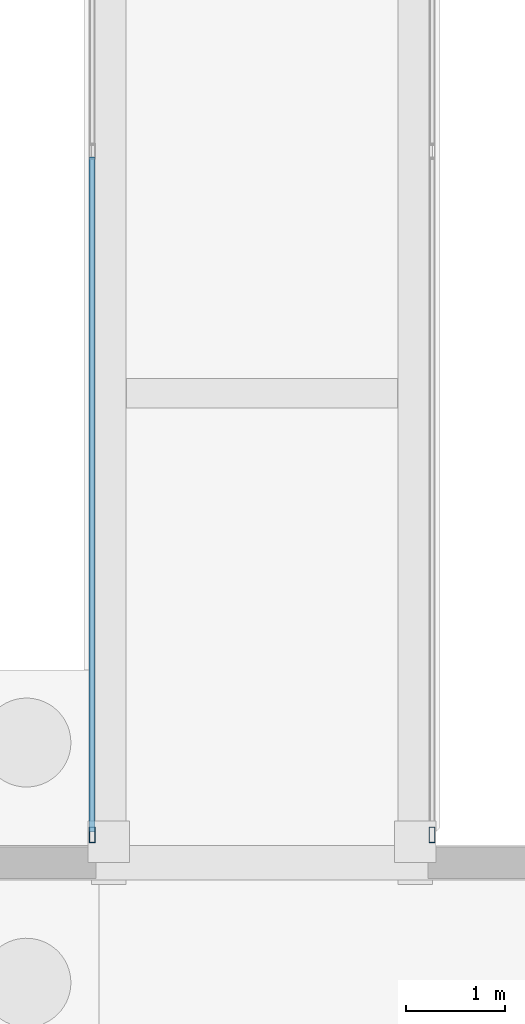
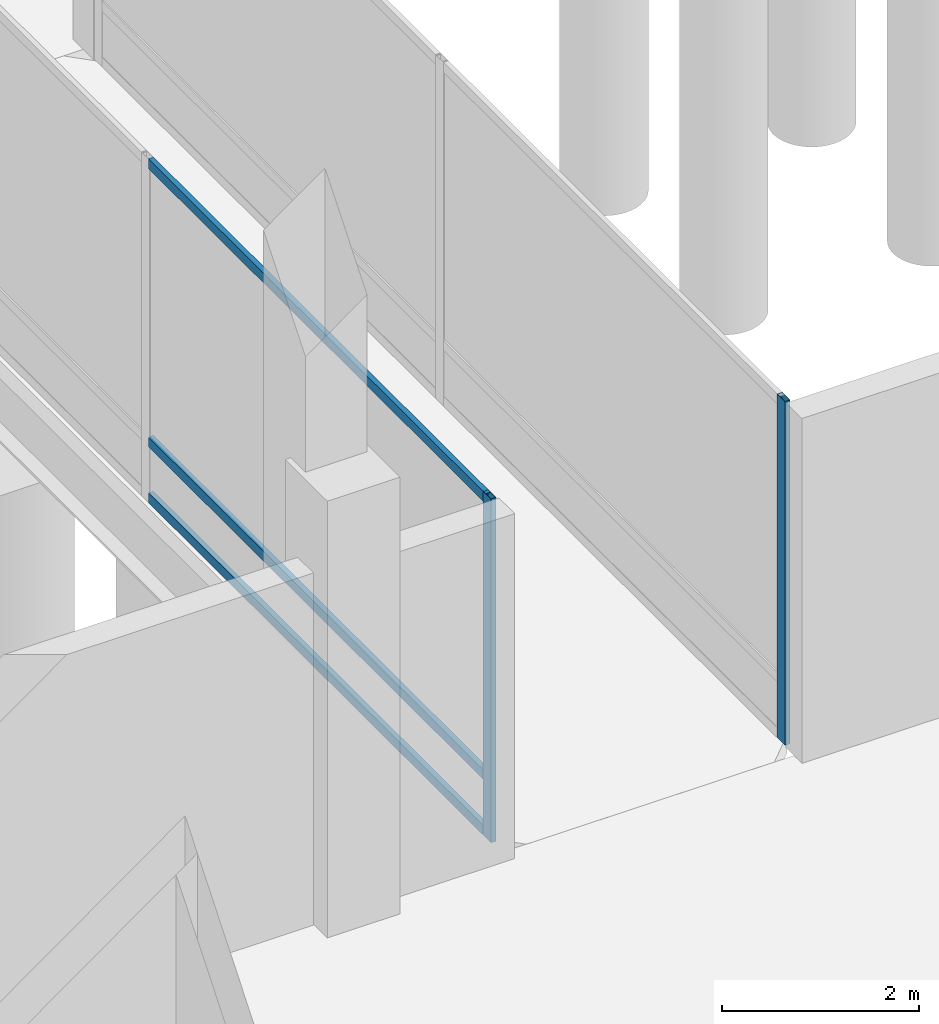
# One storey, part 34 of 192: 5 members, 2 elements without a shape of their own.
"""IFC4 building model written with IfcOpenShell, lengths in metres."""

from ifc_helpers import new_model, si_unit, direction, frame, origin, origin_2d, place, context, subcontext, project, spatial, hollow_rectangle, extrude, material, material_profile, profile_set, type_object, element, aggregate, save


model = new_model("IFC4")

# Units and contexts
model_context = context("Model", 3, precision=1e-05, world=origin(), true_north=direction((0.0, 1.0)))
body_context = subcontext(model_context, "Body", "Model", "MODEL_VIEW")
ifc_project = project(units=[si_unit("LENGTHUNIT", "METRE"), si_unit("AREAUNIT", "SQUARE_METRE"), si_unit("VOLUMEUNIT", "CUBIC_METRE"), si_unit("PLANEANGLEUNIT", "RADIAN"), si_unit("MASSUNIT", "GRAM", prefix="KILO")], contexts=[model_context])

# Site, building, storey
site_placement = place(None, origin())
site = spatial("IfcSite", under=ifc_project, at=site_placement, CompositionType="ELEMENT")
building_placement = place(site_placement, origin())
building = spatial("IfcBuilding", under=site, at=building_placement, Name="Cendralis Lancet Convention Centre", CompositionType="ELEMENT")
storey_placement = place(building_placement, origin())
storey = spatial("IfcBuildingStorey", under=building, at=storey_placement, Name="L00", CompositionType="ELEMENT", Elevation=0.0)

# Curtain wall, member
ifc_material = material(Name="Anodised bronze architectural aluminium", Category="aluminium")
curtain_wall_type = type_object("IfcCurtainWallType", Name="ARC-CW-BR01", PredefinedType="USERDEFINED", material=ifc_material)
curtain_wall_1_placement = place(storey_placement, origin())
curtain_wall_1 = element("IfcCurtainWall", 1, at=curtain_wall_1_placement, inside=storey, type_object=curtain_wall_type, Name="L00 Curtain Wall CW-BR1 #207", ObjectType="CURTAIN WALL", PredefinedType="USERDEFINED")
ifc_material_profile_1 = material_profile(ifc_material, hollow_rectangle(XDim=0.06005859375, YDim=0.159912109375, WallThickness=0.00390625, at=origin_2d()), Name="AL-MULL 60x160x4.0")
ifc_profile_set_1 = profile_set([ifc_material_profile_1], Name="Anodised bronze architectural aluminium")
member_type_1 = type_object("IfcMemberType", Name="ARC-CW-ML01", PredefinedType="MULLION", material=ifc_profile_set_1)
member_1_placement = place(storey_placement, frame((16.280029296875, 36.280029296875, 0.0), z_axis=(0.0, 0.0, 1.0), x_axis=(1.0, 0.0, 0.0)))
member_1 = element("IfcMember", 2, at=member_1_placement, type_object=member_type_1, Name="Mullion CW2-CW-BR1-L00-207-M0", PredefinedType="MULLION", context=body_context, shape_type="SweptSolid", body=[
    extrude(hollow_rectangle(XDim=0.06005859375, YDim=0.159912109375, WallThickness=0.00390625, at=origin_2d()), origin(), (0.0, 0.0, 1.0), 4.25),
])

curtain_wall_2_placement = place(storey_placement, origin())
curtain_wall_2 = element("IfcCurtainWall", 3, at=curtain_wall_2_placement, inside=storey, type_object=curtain_wall_type, Name="L00 Curtain Wall CW-BR1 #208", ObjectType="CURTAIN WALL", PredefinedType="USERDEFINED")
member_2_placement = place(storey_placement, frame((19.719970703125, 36.280029296875, 0.0), z_axis=(0.0, 0.0, 1.0), x_axis=(1.0, 0.0, 0.0)))
member_2 = element("IfcMember", 4, at=member_2_placement, type_object=member_type_1, Name="Mullion CW2-CW-BR1-L00-208-M0", PredefinedType="MULLION", context=body_context, shape_type="SweptSolid", body=[
    extrude(hollow_rectangle(XDim=0.06005859375, YDim=0.159912109375, WallThickness=0.00390625, at=origin_2d()), origin(), (0.0, 0.0, 1.0), 4.25),
])
aggregate(curtain_wall_2, [member_2])

# Member
ifc_material_profile_2 = material_profile(ifc_material, hollow_rectangle(XDim=0.06005859375, YDim=0.1201171875, WallThickness=0.00390625, at=origin_2d()), Name="AL-TRAN 60x120x4.0")
ifc_profile_set_2 = profile_set([ifc_material_profile_2], Name="Anodised bronze architectural aluminium")
member_type_2 = type_object("IfcMemberType", Name="ARC-CW-TR01", PredefinedType="USERDEFINED", material=ifc_profile_set_2)
member_3_placement = place(storey_placement, frame((16.280029296875, 36.31005859375, 0.06005859375), z_axis=(0.0, 1.0, 0.0), x_axis=(-1.0, 0.0, 0.0)))
member_3 = element("IfcMember", 5, at=member_3_placement, type_object=member_type_2, Name="Transom CW2-CW-BR1-L00-207-T0BOT", ObjectType="TRANSOM", PredefinedType="USERDEFINED", context=body_context, shape_type="SweptSolid", body=[
    extrude(hollow_rectangle(XDim=0.06005859375, YDim=0.1201171875, WallThickness=0.00390625, at=origin_2d()), origin(), (0.0, 0.0, 1.0), 6.829833984375),
])

member_4_placement = place(storey_placement, frame((16.280029296875, 36.31005859375, 0.75), z_axis=(0.0, 1.0, 0.0), x_axis=(-1.0, 0.0, 0.0)))
member_4 = element("IfcMember", 6, at=member_4_placement, type_object=member_type_2, Name="Transom CW2-CW-BR1-L00-207-T0MID", ObjectType="TRANSOM", PredefinedType="USERDEFINED", context=body_context, shape_type="SweptSolid", body=[
    extrude(hollow_rectangle(XDim=0.06005859375, YDim=0.1201171875, WallThickness=0.00390625, at=origin_2d()), origin(), (0.0, 0.0, 1.0), 6.829833984375),
])

member_5_placement = place(storey_placement, frame((16.280029296875, 36.31005859375, 4.18994140625), z_axis=(0.0, 1.0, 0.0), x_axis=(-1.0, 0.0, 0.0)))
member_5 = element("IfcMember", 7, at=member_5_placement, type_object=member_type_2, Name="Transom CW2-CW-BR1-L00-207-T0TOP", ObjectType="TRANSOM", PredefinedType="USERDEFINED", context=body_context, shape_type="SweptSolid", body=[
    extrude(hollow_rectangle(XDim=0.06005859375, YDim=0.1201171875, WallThickness=0.00390625, at=origin_2d()), origin(), (0.0, 0.0, 1.0), 6.829833984375),
])

aggregate(curtain_wall_1, [member_1, member_3, member_4, member_5])

save(model, "model.ifc")
